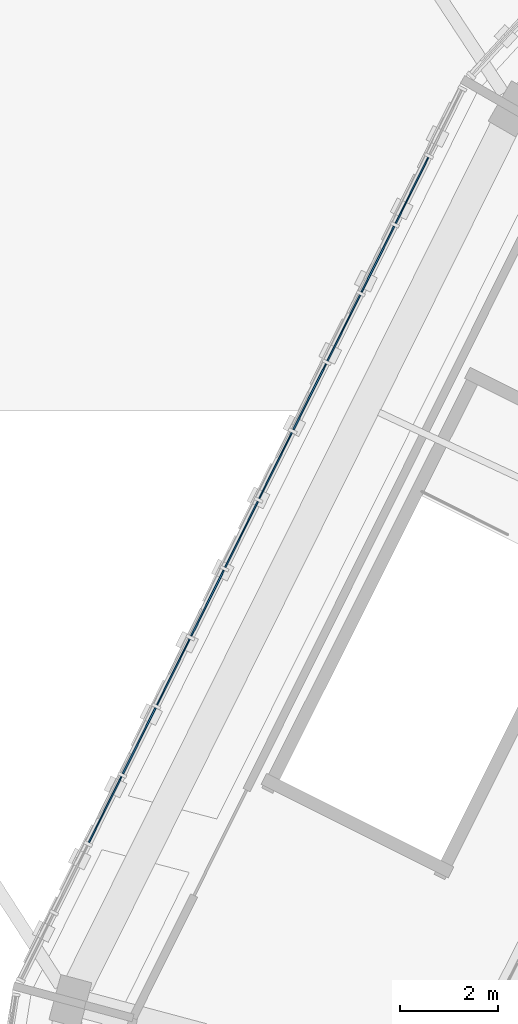
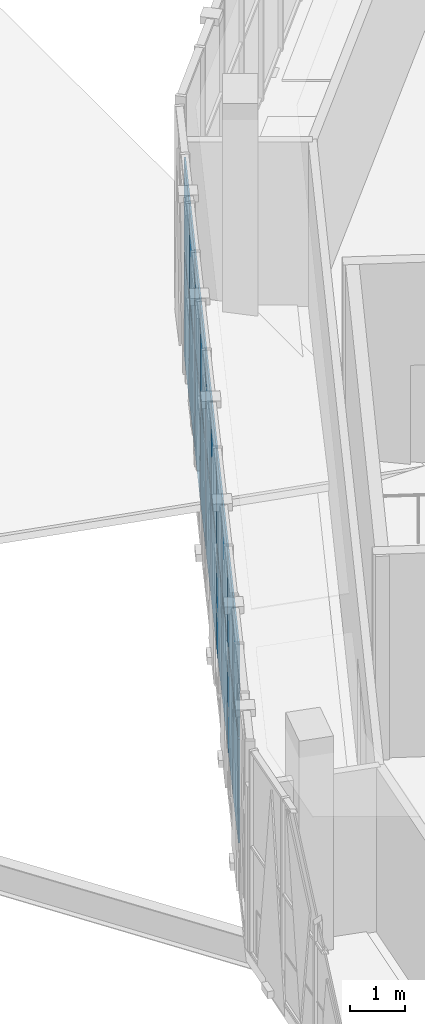
# One storey, part 54 of 108: 20 plates, 1 element without a shape of its own.
"""IFC4 building model written with IfcOpenShell, lengths in metres."""

from ifc_helpers import new_model, si_unit, direction, frame, origin, origin_2d, place, context, subcontext, project, spatial, rectangle, extrude, material, layer, layer_set, type_object, element, aggregate, save


model = new_model("IFC4")

# Units and contexts
model_context = context("Model", 3, precision=1e-05, world=origin(), true_north=direction((0.0, 1.0)))
body_context = subcontext(model_context, "Body", "Model", "MODEL_VIEW")
ifc_project = project(units=[si_unit("LENGTHUNIT", "METRE"), si_unit("AREAUNIT", "SQUARE_METRE"), si_unit("VOLUMEUNIT", "CUBIC_METRE"), si_unit("PLANEANGLEUNIT", "RADIAN"), si_unit("MASSUNIT", "GRAM", prefix="KILO")], contexts=[model_context])

# Site, building, storey
site_placement = place(None, origin())
site = spatial("IfcSite", under=ifc_project, at=site_placement, CompositionType="ELEMENT")
building_placement = place(site_placement, origin())
building = spatial("IfcBuilding", under=site, at=building_placement, Name="Zevraka Park Crest Stadium", CompositionType="ELEMENT")
storey_placement = place(building_placement, frame((0.0, 0.0, 19.800048828125)))
storey = spatial("IfcBuildingStorey", under=building, at=storey_placement, Name="L04", CompositionType="ELEMENT", Elevation=19.800048828125)

# Curtain wall, plates
ifc_material_1 = material(Name="Anodised architectural aluminium and laminated safety glass", Category="aluminium")
curtain_wall_type = type_object("IfcCurtainWallType", Name="CW17", PredefinedType="NOTDEFINED", material=ifc_material_1)
curtain_wall_placement = place(storey_placement, origin())
curtain_wall = element("IfcCurtainWall", 1, at=curtain_wall_placement, inside=storey, type_object=curtain_wall_type, Name="Unitised Ring Curtain Wall CW17 L04-10", PredefinedType="NOTDEFINED")
ifc_material_2 = material(Name="Solar-control laminated double glazing", Category="glass")
ifc_layer = layer(ifc_material_2, 0.031982421875)
ifc_layer_set = layer_set([ifc_layer], Name="Solar-control laminated double glazing")
plate_type = type_object("IfcPlateType", Name="CP17", PredefinedType="CURTAIN_PANEL", material=ifc_layer_set)
plate_1_placement = place(storey_placement, frame((31.728515625, 127.989013671875, 0.06494140625), z_axis=(0.0, 0.0, 1.0), x_axis=(-0.443961067545, -0.896046076106, 0.0)))
plate_1 = element("IfcPlate", 2, at=plate_1_placement, type_object=plate_type, Name="CW17 panel 2.1", PredefinedType="CURTAIN_PANEL", context=body_context, shape_type="SweptSolid", body=[
    extrude(rectangle(XDim=1.497314453125, YDim=0.031982421875, at=origin_2d()), origin(), (0.0, 0.0, 1.0), 2.302490234375),
])
plate_2_placement = place(storey_placement, frame((31.728515625, 127.989013671875, 2.432373046875), z_axis=(0.0, 0.0, 1.0), x_axis=(-0.443961067545, -0.896046076106, 0.0)))
plate_2 = element("IfcPlate", 3, at=plate_2_placement, type_object=plate_type, Name="CW17 panel 2.2", PredefinedType="CURTAIN_PANEL", context=body_context, shape_type="SweptSolid", body=[
    extrude(rectangle(XDim=1.497314453125, YDim=0.031982421875, at=origin_2d()), origin(), (0.0, 0.0, 1.0), 2.04248046875),
])
plate_3_placement = place(storey_placement, frame((31.034912109375, 126.589111328125, 0.06494140625), z_axis=(0.0, 0.0, 1.0), x_axis=(-0.443961067545, -0.896046076106, 0.0)))
plate_3 = element("IfcPlate", 4, at=plate_3_placement, type_object=plate_type, Name="CW17 panel 3.1", PredefinedType="CURTAIN_PANEL", context=body_context, shape_type="SweptSolid", body=[
    extrude(rectangle(XDim=1.497314453125, YDim=0.031982421875, at=origin_2d()), origin(), (0.0, 0.0, 1.0), 2.302490234375),
])
plate_4_placement = place(storey_placement, frame((31.034912109375, 126.589111328125, 2.432373046875), z_axis=(0.0, 0.0, 1.0), x_axis=(-0.443961067545, -0.896046076106, 0.0)))
plate_4 = element("IfcPlate", 5, at=plate_4_placement, type_object=plate_type, Name="CW17 panel 3.2", PredefinedType="CURTAIN_PANEL", context=body_context, shape_type="SweptSolid", body=[
    extrude(rectangle(XDim=1.497314453125, YDim=0.031982421875, at=origin_2d()), origin(), (0.0, 0.0, 1.0), 2.04248046875),
])
plate_5_placement = place(storey_placement, frame((30.34130859375, 125.189208984375, 0.06494140625), z_axis=(0.0, 0.0, 1.0), x_axis=(-0.443961067545, -0.896046076106, 0.0)))
plate_5 = element("IfcPlate", 6, at=plate_5_placement, type_object=plate_type, Name="CW17 panel 4.1", PredefinedType="CURTAIN_PANEL", context=body_context, shape_type="SweptSolid", body=[
    extrude(rectangle(XDim=1.497314453125, YDim=0.031982421875, at=origin_2d()), origin(), (0.0, 0.0, 1.0), 2.302490234375),
])
plate_6_placement = place(storey_placement, frame((30.34130859375, 125.189208984375, 2.432373046875), z_axis=(0.0, 0.0, 1.0), x_axis=(-0.443961067545, -0.896046076106, 0.0)))
plate_6 = element("IfcPlate", 7, at=plate_6_placement, type_object=plate_type, Name="CW17 panel 4.2", PredefinedType="CURTAIN_PANEL", context=body_context, shape_type="SweptSolid", body=[
    extrude(rectangle(XDim=1.497314453125, YDim=0.031982421875, at=origin_2d()), origin(), (0.0, 0.0, 1.0), 2.04248046875),
])
plate_7_placement = place(storey_placement, frame((29.647705078125, 123.789306640625, 0.06494140625), z_axis=(0.0, 0.0, 1.0), x_axis=(-0.443961067545, -0.896046076106, 0.0)))
plate_7 = element("IfcPlate", 8, at=plate_7_placement, type_object=plate_type, Name="CW17 panel 5.1", PredefinedType="CURTAIN_PANEL", context=body_context, shape_type="SweptSolid", body=[
    extrude(rectangle(XDim=1.497314453125, YDim=0.031982421875, at=origin_2d()), origin(), (0.0, 0.0, 1.0), 2.302490234375),
])
plate_8_placement = place(storey_placement, frame((29.647705078125, 123.789306640625, 2.432373046875), z_axis=(0.0, 0.0, 1.0), x_axis=(-0.443961067545, -0.896046076106, 0.0)))
plate_8 = element("IfcPlate", 9, at=plate_8_placement, type_object=plate_type, Name="CW17 panel 5.2", PredefinedType="CURTAIN_PANEL", context=body_context, shape_type="SweptSolid", body=[
    extrude(rectangle(XDim=1.497314453125, YDim=0.031982421875, at=origin_2d()), origin(), (0.0, 0.0, 1.0), 2.04248046875),
])
plate_9_placement = place(storey_placement, frame((28.9541015625, 122.389404296875, 0.06494140625), z_axis=(0.0, 0.0, 1.0), x_axis=(-0.443961067545, -0.896046076106, 0.0)))
plate_9 = element("IfcPlate", 10, at=plate_9_placement, type_object=plate_type, Name="CW17 panel 6.1", PredefinedType="CURTAIN_PANEL", context=body_context, shape_type="SweptSolid", body=[
    extrude(rectangle(XDim=1.497314453125, YDim=0.031982421875, at=origin_2d()), origin(), (0.0, 0.0, 1.0), 2.302490234375),
])
plate_10_placement = place(storey_placement, frame((28.9541015625, 122.389404296875, 2.432373046875), z_axis=(0.0, 0.0, 1.0), x_axis=(-0.443961067545, -0.896046076106, 0.0)))
plate_10 = element("IfcPlate", 11, at=plate_10_placement, type_object=plate_type, Name="CW17 panel 6.2", PredefinedType="CURTAIN_PANEL", context=body_context, shape_type="SweptSolid", body=[
    extrude(rectangle(XDim=1.497314453125, YDim=0.031982421875, at=origin_2d()), origin(), (0.0, 0.0, 1.0), 2.04248046875),
])
plate_11_placement = place(storey_placement, frame((28.260498046875, 120.989501953125, 0.06494140625), z_axis=(0.0, 0.0, 1.0), x_axis=(-0.443961067545, -0.896046076106, 0.0)))
plate_11 = element("IfcPlate", 12, at=plate_11_placement, type_object=plate_type, Name="CW17 panel 7.1", PredefinedType="CURTAIN_PANEL", context=body_context, shape_type="SweptSolid", body=[
    extrude(rectangle(XDim=1.497314453125, YDim=0.031982421875, at=origin_2d()), origin(), (0.0, 0.0, 1.0), 2.302490234375),
])
plate_12_placement = place(storey_placement, frame((28.260498046875, 120.989501953125, 2.432373046875), z_axis=(0.0, 0.0, 1.0), x_axis=(-0.443961067545, -0.896046076106, 0.0)))
plate_12 = element("IfcPlate", 13, at=plate_12_placement, type_object=plate_type, Name="CW17 panel 7.2", PredefinedType="CURTAIN_PANEL", context=body_context, shape_type="SweptSolid", body=[
    extrude(rectangle(XDim=1.497314453125, YDim=0.031982421875, at=origin_2d()), origin(), (0.0, 0.0, 1.0), 2.04248046875),
])
plate_13_placement = place(storey_placement, frame((27.56689453125, 119.589599609375, 0.06494140625), z_axis=(0.0, 0.0, 1.0), x_axis=(-0.443961067545, -0.896046076106, 0.0)))
plate_13 = element("IfcPlate", 14, at=plate_13_placement, type_object=plate_type, Name="CW17 panel 8.1", PredefinedType="CURTAIN_PANEL", context=body_context, shape_type="SweptSolid", body=[
    extrude(rectangle(XDim=1.497314453125, YDim=0.031982421875, at=origin_2d()), origin(), (0.0, 0.0, 1.0), 2.302490234375),
])
plate_14_placement = place(storey_placement, frame((27.56689453125, 119.589599609375, 2.432373046875), z_axis=(0.0, 0.0, 1.0), x_axis=(-0.443961067545, -0.896046076106, 0.0)))
plate_14 = element("IfcPlate", 15, at=plate_14_placement, type_object=plate_type, Name="CW17 panel 8.2", PredefinedType="CURTAIN_PANEL", context=body_context, shape_type="SweptSolid", body=[
    extrude(rectangle(XDim=1.497314453125, YDim=0.031982421875, at=origin_2d()), origin(), (0.0, 0.0, 1.0), 2.04248046875),
])
plate_15_placement = place(storey_placement, frame((26.873291015625, 118.189697265625, 0.06494140625), z_axis=(0.0, 0.0, 1.0), x_axis=(-0.443961067545, -0.896046076106, 0.0)))
plate_15 = element("IfcPlate", 16, at=plate_15_placement, type_object=plate_type, Name="CW17 panel 9.1", PredefinedType="CURTAIN_PANEL", context=body_context, shape_type="SweptSolid", body=[
    extrude(rectangle(XDim=1.497314453125, YDim=0.031982421875, at=origin_2d()), origin(), (0.0, 0.0, 1.0), 2.302490234375),
])
plate_16_placement = place(storey_placement, frame((26.873291015625, 118.189697265625, 2.432373046875), z_axis=(0.0, 0.0, 1.0), x_axis=(-0.443961067545, -0.896046076106, 0.0)))
plate_16 = element("IfcPlate", 17, at=plate_16_placement, type_object=plate_type, Name="CW17 panel 9.2", PredefinedType="CURTAIN_PANEL", context=body_context, shape_type="SweptSolid", body=[
    extrude(rectangle(XDim=1.497314453125, YDim=0.031982421875, at=origin_2d()), origin(), (0.0, 0.0, 1.0), 2.04248046875),
])
plate_17_placement = place(storey_placement, frame((26.1796875, 116.789794921875, 0.06494140625), z_axis=(0.0, 0.0, 1.0), x_axis=(-0.443961067545, -0.896046076106, 0.0)))
plate_17 = element("IfcPlate", 18, at=plate_17_placement, type_object=plate_type, Name="CW17 panel 10.1", PredefinedType="CURTAIN_PANEL", context=body_context, shape_type="SweptSolid", body=[
    extrude(rectangle(XDim=1.497314453125, YDim=0.031982421875, at=origin_2d()), origin(), (0.0, 0.0, 1.0), 2.302490234375),
])
plate_18_placement = place(storey_placement, frame((26.1796875, 116.789794921875, 2.432373046875), z_axis=(0.0, 0.0, 1.0), x_axis=(-0.443961067545, -0.896046076106, 0.0)))
plate_18 = element("IfcPlate", 19, at=plate_18_placement, type_object=plate_type, Name="CW17 panel 10.2", PredefinedType="CURTAIN_PANEL", context=body_context, shape_type="SweptSolid", body=[
    extrude(rectangle(XDim=1.497314453125, YDim=0.031982421875, at=origin_2d()), origin(), (0.0, 0.0, 1.0), 2.04248046875),
])
plate_19_placement = place(storey_placement, frame((25.486083984375, 115.389892578125, 0.06494140625), z_axis=(0.0, 0.0, 1.0), x_axis=(-0.443961067545, -0.896046076106, 0.0)))
plate_19 = element("IfcPlate", 20, at=plate_19_placement, type_object=plate_type, Name="CW17 panel 11.1", PredefinedType="CURTAIN_PANEL", context=body_context, shape_type="SweptSolid", body=[
    extrude(rectangle(XDim=1.497314453125, YDim=0.031982421875, at=origin_2d()), origin(), (0.0, 0.0, 1.0), 2.302490234375),
])
plate_20_placement = place(storey_placement, frame((25.486083984375, 115.389892578125, 2.432373046875), z_axis=(0.0, 0.0, 1.0), x_axis=(-0.443961067545, -0.896046076106, 0.0)))
plate_20 = element("IfcPlate", 21, at=plate_20_placement, type_object=plate_type, Name="CW17 panel 11.2", PredefinedType="CURTAIN_PANEL", context=body_context, shape_type="SweptSolid", body=[
    extrude(rectangle(XDim=1.497314453125, YDim=0.031982421875, at=origin_2d()), origin(), (0.0, 0.0, 1.0), 2.04248046875),
])
aggregate(curtain_wall, [plate_1, plate_2, plate_3, plate_4, plate_5, plate_6, plate_7, plate_8, plate_9, plate_10, plate_11, plate_12, plate_13, plate_14, plate_15, plate_16, plate_17, plate_18, plate_19, plate_20])

save(model, "model.ifc")
